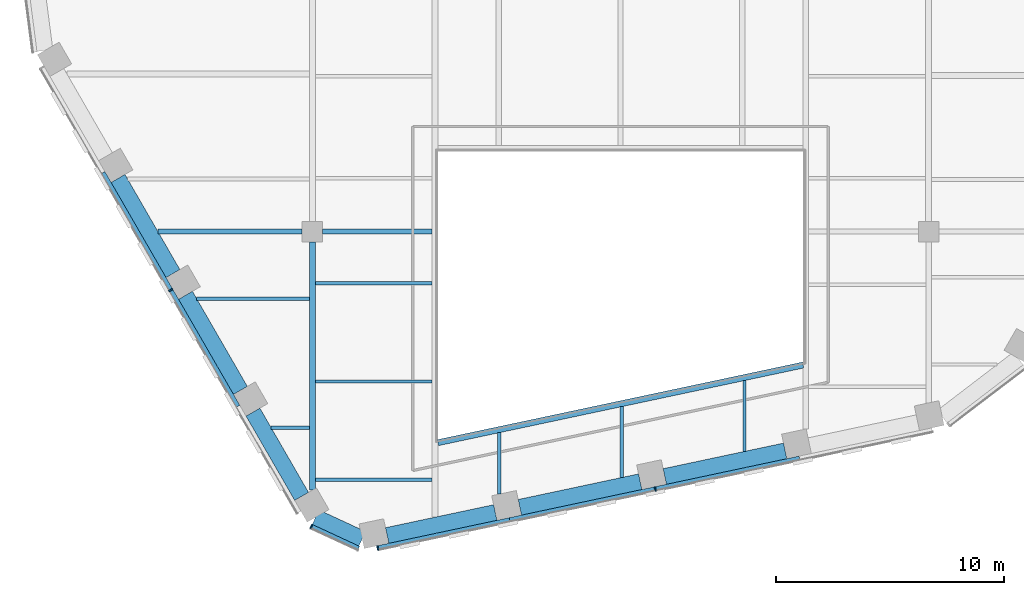
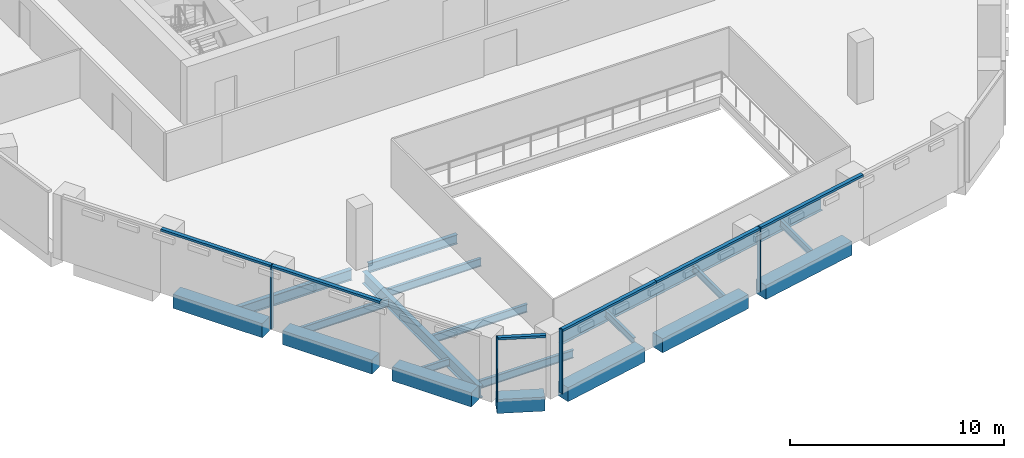
# One storey, part 2 of 16: 19 beams, 10 members, 3 elements without a shape of their own.
"""IFC4 building model written with IfcOpenShell, lengths in metres."""

from ifc_helpers import new_model, si_unit, direction, frame, origin, origin_2d, place, context, subcontext, project, spatial, rectangle, i_section, extrude, material, layer, layer_set, material_profile, profile_set, type_object, element, aggregate, save


model = new_model("IFC4")

# Units and contexts
model_context = context("Model", 3, precision=1e-05, world=origin(), true_north=direction((0.0, 1.0)))
body_context = subcontext(model_context, "Body", "Model", "MODEL_VIEW")
ifc_project = project(units=[si_unit("LENGTHUNIT", "METRE"), si_unit("AREAUNIT", "SQUARE_METRE"), si_unit("VOLUMEUNIT", "CUBIC_METRE"), si_unit("PLANEANGLEUNIT", "RADIAN"), si_unit("MASSUNIT", "GRAM", prefix="KILO")], contexts=[model_context])

# Site, building, storey
site_placement = place(None, origin())
site = spatial("IfcSite", under=ifc_project, at=site_placement, CompositionType="ELEMENT")
building_placement = place(site_placement, origin())
building = spatial("IfcBuilding", under=site, at=building_placement, Name="Isthmus Gate Tower", CompositionType="ELEMENT")
storey_placement = place(building_placement, frame((0.0, 0.0, 216.300048828125)))
storey = spatial("IfcBuildingStorey", under=building, at=storey_placement, Name="L54", CompositionType="ELEMENT", Elevation=216.300048828125)

# Curtain wall, member
ifc_material_1 = material(Name="Aluminium, pale champagne anodised", Category="aluminium")
ifc_layer = layer(ifc_material_1, 0.199951171875)
ifc_layer_set = layer_set([ifc_layer], Name="CW-1 UNITISED CURTAIN WALL 200 DEEP")
curtain_wall_type = type_object("IfcCurtainWallType", Name="CW-1 UNITISED CURTAIN WALL 200 DEEP", PredefinedType="NOTDEFINED", material=ifc_layer_set)
curtain_wall_1_placement = place(storey_placement, origin())
curtain_wall_1 = element("IfcCurtainWall", 1, at=curtain_wall_1_placement, inside=storey, type_object=curtain_wall_type, Name="CW-1 SW L54", PredefinedType="NOTDEFINED")
ifc_material_2 = material(Name="Aluminium, pale champagne anodised", Category="aluminium")
ifc_material_profile_1 = material_profile(ifc_material_2, rectangle(XDim=0.06005859375, YDim=0.199951171875, at=origin_2d()), Name="60x200")
ifc_profile_set_1 = profile_set([ifc_material_profile_1], Name="Aluminium, pale champagne anodised")
member_type_1 = type_object("IfcMemberType", Name="CW-1 MULLION 60 X 200", PredefinedType="MULLION", material=ifc_profile_set_1)
member_1_placement = place(storey_placement, frame((-19.707275390625, -16.066162109375, 0.0), z_axis=(0.0, 0.0, 1.0), x_axis=(0.5, -0.866025403784, 0.0)))
member_1 = element("IfcMember", 2, at=member_1_placement, type_object=member_type_1, Name="CW-1 mullion", PredefinedType="MULLION", context=body_context, shape_type="SweptSolid", body=[
    extrude(rectangle(XDim=0.06005859375, YDim=0.199951171875, at=origin_2d()), origin(), (0.0, 0.0, 1.0), 3.64990234375),
])

curtain_wall_2_placement = place(storey_placement, origin())
curtain_wall_2 = element("IfcCurtainWall", 3, at=curtain_wall_2_placement, inside=storey, type_object=curtain_wall_type, Name="CW-1 SW-S L54", PredefinedType="NOTDEFINED")
member_2_placement = place(storey_placement, frame((-13.54833984375, -26.419677734375, 0.0), z_axis=(0.0, 0.0, 1.0), x_axis=(0.907256261367, -0.420578264073, 0.0)))
member_2 = element("IfcMember", 4, at=member_2_placement, type_object=member_type_1, Name="CW-1 mullion", PredefinedType="MULLION", context=body_context, shape_type="SweptSolid", body=[
    extrude(rectangle(XDim=0.06005859375, YDim=0.199951171875, at=origin_2d()), origin(), (0.0, 0.0, 1.0), 3.64990234375),
])

# Curtain wall, members
curtain_wall_3_placement = place(storey_placement, origin())
curtain_wall_3 = element("IfcCurtainWall", 5, at=curtain_wall_3_placement, inside=storey, type_object=curtain_wall_type, Name="CW-1 S L54", PredefinedType="NOTDEFINED")
member_3_placement = place(storey_placement, frame((-10.6376953125, -27.36328125, 0.0), z_axis=(0.0, 0.0, 1.0), x_axis=(0.978147600734, 0.207911690818, 0.0)))
member_3 = element("IfcMember", 6, at=member_3_placement, type_object=member_type_1, Name="CW-1 mullion", PredefinedType="MULLION", context=body_context, shape_type="SweptSolid", body=[
    extrude(rectangle(XDim=0.06005859375, YDim=0.199951171875, at=origin_2d()), origin(), (0.0, 0.0, 1.0), 3.64990234375),
])
member_4_placement = place(storey_placement, frame((1.5244140625, -24.7783203125, 0.0), z_axis=(0.0, 0.0, 1.0), x_axis=(0.978147600734, 0.207911690818, 0.0)))
member_4 = element("IfcMember", 7, at=member_4_placement, type_object=member_type_1, Name="CW-1 mullion", PredefinedType="MULLION", context=body_context, shape_type="SweptSolid", body=[
    extrude(rectangle(XDim=0.06005859375, YDim=0.199951171875, at=origin_2d()), origin(), (0.0, 0.0, 1.0), 3.64990234375),
])

# Member
ifc_material_3 = material(Name="Aluminium, pale champagne anodised", Category="aluminium")
ifc_material_profile_2 = material_profile(ifc_material_3, rectangle(XDim=0.199951171875, YDim=0.1298828125, at=origin_2d()), Name="200x130")
ifc_profile_set_2 = profile_set([ifc_material_profile_2], Name="Aluminium, pale champagne anodised")
member_type_2 = type_object("IfcMemberType", Name="CW-1 TRANSOM 200 X 130", PredefinedType="USERDEFINED", material=ifc_profile_set_2)
member_5_placement = place(storey_placement, frame((-22.677490234375, -10.92138671875, 3.5849609375), z_axis=(0.500008496284, -0.866020498397, 0.0), x_axis=(0.866020498397, 0.500008496284, 0.0)))
member_5 = element("IfcMember", 8, at=member_5_placement, type_object=member_type_2, Name="CW-1 transom", ObjectType="TRANSOM", PredefinedType="USERDEFINED", context=body_context, shape_type="SweptSolid", body=[
    extrude(rectangle(XDim=0.199951171875, YDim=0.1298828125, at=origin_2d()), origin(), (0.0, 0.0, 1.0), 5.91064453125),
])

member_6_placement = place(storey_placement, frame((-19.692138671875, -16.092041015625, 3.5849609375), z_axis=(0.49998975084, -0.866031321059, 0.0), x_axis=(0.866031321059, 0.49998975084, 0.0)))
member_6 = element("IfcMember", 9, at=member_6_placement, type_object=member_type_2, Name="CW-1 transom", ObjectType="TRANSOM", PredefinedType="USERDEFINED", context=body_context, shape_type="SweptSolid", body=[
    extrude(rectangle(XDim=0.199951171875, YDim=0.1298828125, at=origin_2d()), origin(), (0.0, 0.0, 1.0), 5.8505859375),
])

aggregate(curtain_wall_1, [member_5, member_1, member_6])

member_7_placement = place(storey_placement, frame((-13.521240234375, -26.432373046875, 3.5849609375), z_axis=(0.907246225564, -0.420599912268, 0.0), x_axis=(0.420599912268, 0.907246225564, 0.0)))
member_7 = element("IfcMember", 10, at=member_7_placement, type_object=member_type_2, Name="CW-1 transom", ObjectType="TRANSOM", PredefinedType="USERDEFINED", context=body_context, shape_type="SweptSolid", body=[
    extrude(rectangle(XDim=0.199951171875, YDim=0.1298828125, at=origin_2d()), origin(), (0.0, 0.0, 1.0), 2.258544921875),
])

aggregate(curtain_wall_2, [member_2, member_7])

member_8_placement = place(storey_placement, frame((-10.6083984375, -27.357177734375, 3.5849609375), z_axis=(0.978148511799, 0.207907404549, 0.0), x_axis=(-0.207907404549, 0.978148511799, 0.0)))
member_8 = element("IfcMember", 11, at=member_8_placement, type_object=member_type_2, Name="CW-1 transom", ObjectType="TRANSOM", PredefinedType="USERDEFINED", context=body_context, shape_type="SweptSolid", body=[
    extrude(rectangle(XDim=0.199951171875, YDim=0.1298828125, at=origin_2d()), origin(), (0.0, 0.0, 1.0), 5.8818359375),
])

member_9_placement = place(storey_placement, frame((-4.85498046875, -26.13427734375, 3.5849609375), z_axis=(0.978142886198, 0.207933869729, 0.0), x_axis=(-0.207933869729, 0.978142886198, 0.0)))
member_9 = element("IfcMember", 12, at=member_9_placement, type_object=member_type_2, Name="CW-1 transom", ObjectType="TRANSOM", PredefinedType="USERDEFINED", context=body_context, shape_type="SweptSolid", body=[
    extrude(rectangle(XDim=0.199951171875, YDim=0.1298828125, at=origin_2d()), origin(), (0.0, 0.0, 1.0), 6.49169921875),
])

member_10_placement = place(storey_placement, frame((1.5537109375, -24.77197265625, 3.5849609375), z_axis=(0.978150457162, 0.207898251926, 0.0), x_axis=(-0.207898251926, 0.978150457162, 0.0)))
member_10 = element("IfcMember", 13, at=member_10_placement, type_object=member_type_2, Name="CW-1 transom", ObjectType="TRANSOM", PredefinedType="USERDEFINED", context=body_context, shape_type="SweptSolid", body=[
    extrude(rectangle(XDim=0.199951171875, YDim=0.1298828125, at=origin_2d()), origin(), (0.0, 0.0, 1.0), 6.431884765625),
])

aggregate(curtain_wall_3, [member_3, member_8, member_9, member_4, member_10])

# Beams
ifc_material_4 = material(Name="Concrete f'c 50 MPa", Category="concrete")
ifc_material_profile_3 = material_profile(ifc_material_4, rectangle(XDim=0.699951171875, YDim=0.800048828125, at=origin_2d()), Name="RC 700X800")
ifc_profile_set_3 = profile_set([ifc_material_profile_3], Name="Concrete f'c 50 MPa")
beam_type_1 = type_object("IfcBeamType", Name="RC SPANDREL 700 X 800", PredefinedType="SPANDREL", material=ifc_profile_set_3)
for number, where, z_axis, x_axis, name in (
    (14, (7.21337890625, -23.10888671875, -0.400146484375), (-0.978144348563, -0.207926990492, 0.0), (0.207926990492, -0.978144348563, 0.0), "str-spandrel-L54-12"),
    (15, (0.863525390625, -24.458740234375, -0.400146484375), (-0.978155513612, -0.207874460167, 0.0), (0.207874460167, -0.978155513612, 0.0), "str-spandrel-L54-13"),
):
    element("IfcBeam", number, at=place(storey_placement, frame(where, z_axis=z_axis, x_axis=x_axis)), inside=storey, type_object=beam_type_1, Name=name, PredefinedType="SPANDREL", context=body_context, shape_type="SweptSolid", body=[
        extrude(rectangle(XDim=0.699951171875, YDim=0.800048828125, at=origin_2d()), origin(), (0.0, 0.0, 1.0), 5.391845703125),
    ])
beam_1_placement = place(storey_placement, frame((-5.486572265625, -25.808349609375, -0.400146484375), z_axis=(-0.978141291228, -0.207941372495, 0.0), x_axis=(0.207941372495, -0.978141291228, 0.0)))
element("IfcBeam", 16, at=beam_1_placement, inside=storey, type_object=beam_type_1, Name="str-spandrel-L54-14", PredefinedType="SPANDREL", context=body_context, shape_type="SweptSolid", body=[
    extrude(rectangle(XDim=0.699951171875, YDim=0.800048828125, at=origin_2d()), origin(), (0.0, 0.0, 1.0), 4.842041015625),
])
beam_2_placement = place(storey_placement, frame((-11.31689453125, -26.958251953125, -0.400146484375), z_axis=(-0.907254968276, 0.42058105347, 0.0), x_axis=(-0.42058105347, -0.907254968276, 0.0)))
element("IfcBeam", 17, at=beam_2_placement, inside=storey, type_object=beam_type_1, Name="str-spandrel-L54-15", PredefinedType="SPANDREL", context=body_context, shape_type="SweptSolid", body=[
    extrude(rectangle(XDim=0.699951171875, YDim=0.800048828125, at=origin_2d()), origin(), (0.0, 0.0, 1.0), 2.245849609375),
])
beam_3_placement = place(storey_placement, frame((-13.971923828125, -25.10009765625, -0.400146484375), z_axis=(-0.499996907167, 0.866027189425, 0.0), x_axis=(-0.866027189425, -0.499996907167, 0.0)))
element("IfcBeam", 18, at=beam_3_placement, inside=storey, type_object=beam_type_1, Name="str-spandrel-L54-16", PredefinedType="SPANDREL", context=body_context, shape_type="SweptSolid", body=[
    extrude(rectangle(XDim=0.699951171875, YDim=0.800048828125, at=origin_2d()), origin(), (0.0, 0.0, 1.0), 4.2607421875),
])
for number, where, z_axis, x_axis, name in (
    (19, (-16.652099609375, -20.45751953125, -0.400146484375), (-0.500003616288, 0.866023315909, 0.0), (-0.866023315909, -0.500003616288, 0.0), "str-spandrel-L54-17"),
    (20, (-19.607421875, -15.3388671875, -0.400146484375), (-0.500003616288, 0.866023315909, 0.0), (-0.866023315909, -0.500003616288, 0.0), "str-spandrel-L54-18"),
):
    element("IfcBeam", number, at=place(storey_placement, frame(where, z_axis=z_axis, x_axis=x_axis)), inside=storey, type_object=beam_type_1, Name=name, PredefinedType="SPANDREL", context=body_context, shape_type="SweptSolid", body=[
        extrude(rectangle(XDim=0.699951171875, YDim=0.800048828125, at=origin_2d()), origin(), (0.0, 0.0, 1.0), 4.810546875),
    ])
ifc_material_5 = material(Name="Structural steel ASTM A992 Gr 50", Category="steel")
ifc_material_profile_4 = material_profile(ifc_material_5, i_section(OverallWidth=0.1396484375, OverallDepth=0.4033203125, WebThickness=0.00634765625, FlangeThickness=0.010986328125, at=origin_2d()), Name="W16X31")
ifc_profile_set_4 = profile_set([ifc_material_profile_4], Name="Structural steel ASTM A992 Gr 50")
beam_type_2 = type_object("IfcBeamType", Name="STEEL FLOOR BEAM W16X31", PredefinedType="JOIST", material=ifc_profile_set_4)
beam_4_placement = place(storey_placement, frame((-15.30126953125, -22.097412109375, -0.3515625), z_axis=(1.0, 0.0, 0.0), x_axis=(0.0, 1.0, 0.0)))
element("IfcBeam", 21, at=beam_4_placement, inside=storey, type_object=beam_type_2, Name="str-beam-L54-02-00", PredefinedType="JOIST", context=body_context, shape_type="SweptSolid", body=[
    extrude(i_section(OverallWidth=0.1396484375, OverallDepth=0.4033203125, WebThickness=0.00634765625, FlangeThickness=0.010986328125, at=origin_2d()), origin(), (0.0, 0.0, 1.0), 1.67431640625),
])
beam_5_placement = place(storey_placement, frame((-5.314208984375, -25.005126953125, -0.3515625), z_axis=(0.0, 1.0, 0.0), x_axis=(-1.0, 0.0, 0.0)))
element("IfcBeam", 22, at=beam_5_placement, inside=storey, type_object=beam_type_2, Name="str-beam-L54-06-00", PredefinedType="JOIST", context=body_context, shape_type="SweptSolid", body=[
    extrude(i_section(OverallWidth=0.1396484375, OverallDepth=0.4033203125, WebThickness=0.00634765625, FlangeThickness=0.010986328125, at=origin_2d()), origin(), (0.0, 0.0, 1.0), 2.692138671875),
])
for number, where, z_axis, x_axis, name in (
    (23, (0.05712890625, -24.272216796875, -0.3515625), (0.0, 1.0, 0.0), (-1.0, 0.0, 0.0), "str-beam-L54-06-01"),
    (24, (5.428466796875, -23.13037109375, -0.3515625), (0.0, 1.0, 0.0), (-1.0, 0.0, 0.0), "str-beam-L54-06-02"),
):
    element("IfcBeam", number, at=place(storey_placement, frame(where, z_axis=z_axis, x_axis=x_axis)), inside=storey, type_object=beam_type_2, Name=name, PredefinedType="JOIST", context=body_context, shape_type="SweptSolid", body=[
        extrude(i_section(OverallWidth=0.1396484375, OverallDepth=0.4033203125, WebThickness=0.00634765625, FlangeThickness=0.010986328125, at=origin_2d()), origin(), (0.0, 0.0, 1.0), 3.10107421875),
    ])
ifc_material_6 = material(Name="Structural steel ASTM A992 Gr 50", Category="steel")
ifc_material_profile_5 = material_profile(ifc_material_6, i_section(OverallWidth=0.15234375, OverallDepth=0.45068359375, WebThickness=0.0078125, FlangeThickness=0.010986328125, at=origin_2d()), Name="W18X35")
ifc_profile_set_5 = profile_set([ifc_material_profile_5], Name="Structural steel ASTM A992 Gr 50")
beam_type_3 = type_object("IfcBeamType", Name="STEEL FLOOR BEAM W18X35", PredefinedType="JOIST", material=ifc_profile_set_5)
beam_6_placement = place(storey_placement, frame((-18.56640625, -16.44189453125, -0.37548828125), z_axis=(1.0, 0.0, 0.0), x_axis=(0.0, 1.0, 0.0)))
element("IfcBeam", 25, at=beam_6_placement, inside=storey, type_object=beam_type_3, Name="str-beam-L54-02-01", PredefinedType="JOIST", context=body_context, shape_type="SweptSolid", body=[
    extrude(i_section(OverallWidth=0.15234375, OverallDepth=0.45068359375, WebThickness=0.0078125, FlangeThickness=0.010986328125, at=origin_2d()), origin(), (0.0, 0.0, 1.0), 4.939453125),
])
for number, where, z_axis, x_axis, name in (
    (26, (-13.373046875, -24.3759765625, -0.37548828125), (1.0, 0.0, 0.0), (0.0, 1.0, 0.0), "str-beam-L54-04-00"),
    (27, (-13.373046875, -20.0673828125, -0.37548828125), (1.0, 0.0, 0.0), (0.0, 1.0, 0.0), "str-beam-L54-04-01"),
    (28, (-13.373046875, -15.759033203125, -0.37548828125), (1.0, 0.0, 0.0), (0.0, 1.0, 0.0), "str-beam-L54-04-02"),
):
    element("IfcBeam", number, at=place(storey_placement, frame(where, z_axis=z_axis, x_axis=x_axis)), inside=storey, type_object=beam_type_3, Name=name, PredefinedType="JOIST", context=body_context, shape_type="SweptSolid", body=[
        extrude(i_section(OverallWidth=0.15234375, OverallDepth=0.45068359375, WebThickness=0.0078125, FlangeThickness=0.010986328125, at=origin_2d()), origin(), (0.0, 0.0, 1.0), 5.109619140625),
    ])
ifc_material_7 = material(Name="Structural steel ASTM A992 Gr 50", Category="steel")
ifc_material_profile_6 = material_profile(ifc_material_7, i_section(OverallWidth=0.20947265625, OverallDepth=0.533447265625, WebThickness=0.009521484375, FlangeThickness=0.015869140625, at=origin_2d()), Name="W21X62")
ifc_profile_set_6 = profile_set([ifc_material_profile_6], Name="Structural steel ASTM A992 Gr 50")
beam_type_4 = type_object("IfcBeamType", Name="STEEL GIRDER W21X62", PredefinedType="BEAM", material=ifc_profile_set_6)
beam_7_placement = place(storey_placement, frame((-13.050048828125, -13.5, -0.416748046875), z_axis=(1.0, 0.0, 0.0), x_axis=(0.0, 1.0, 0.0)))
element("IfcBeam", 29, at=beam_7_placement, inside=storey, type_object=beam_type_4, Name="str-girder-L54-02", PredefinedType="BEAM", context=body_context, shape_type="SweptSolid", body=[
    extrude(i_section(OverallWidth=0.20947265625, OverallDepth=0.533447265625, WebThickness=0.009521484375, FlangeThickness=0.015869140625, at=origin_2d()), origin(), (0.0, 0.0, 1.0), 4.78662109375),
])
ifc_material_8 = material(Name="Structural steel ASTM A992 Gr 50", Category="steel")
ifc_material_profile_7 = material_profile(ifc_material_8, i_section(OverallWidth=0.228515625, OverallDepth=0.603271484375, WebThickness=0.010986328125, FlangeThickness=0.014404296875, at=origin_2d()), Name="W24X68")
ifc_profile_set_7 = profile_set([ifc_material_profile_7], Name="Structural steel ASTM A992 Gr 50")
beam_type_5 = type_object("IfcBeamType", Name="STEEL GIRDER W24X68", PredefinedType="BEAM", material=ifc_profile_set_7)
beam_8_placement = place(storey_placement, frame((-20.264892578125, -13.5, -0.45166015625), z_axis=(1.0, 0.0, 0.0), x_axis=(0.0, 1.0, 0.0)))
element("IfcBeam", 30, at=beam_8_placement, inside=storey, type_object=beam_type_5, Name="str-girder-L54-01", PredefinedType="BEAM", context=body_context, shape_type="SweptSolid", body=[
    extrude(i_section(OverallWidth=0.228515625, OverallDepth=0.603271484375, WebThickness=0.010986328125, FlangeThickness=0.014404296875, at=origin_2d()), origin(), (0.0, 0.0, 1.0), 6.31494140625),
])
ifc_material_9 = material(Name="Structural steel ASTM A992 Gr 50", Category="steel")
ifc_material_profile_8 = material_profile(ifc_material_9, i_section(OverallWidth=0.25390625, OverallDepth=0.679443359375, WebThickness=0.010986328125, FlangeThickness=0.015869140625, at=origin_2d()), Name="W27X84")
ifc_profile_set_8 = profile_set([ifc_material_profile_8], Name="Structural steel ASTM A992 Gr 50")
beam_type_6 = type_object("IfcBeamType", Name="STEEL GIRDER W27X84", PredefinedType="BEAM", material=ifc_profile_set_8)
beam_9_placement = place(storey_placement, frame((-13.5, -24.82763671875, -0.48974609375), z_axis=(0.0, 1.0, 0.0), x_axis=(-1.0, 0.0, 0.0)))
element("IfcBeam", 31, at=beam_9_placement, inside=storey, type_object=beam_type_6, Name="str-girder-L54-05", PredefinedType="BEAM", context=body_context, shape_type="SweptSolid", body=[
    extrude(i_section(OverallWidth=0.25390625, OverallDepth=0.679443359375, WebThickness=0.010986328125, FlangeThickness=0.015869140625, at=origin_2d()), origin(), (0.0, 0.0, 1.0), 10.877685546875),
])
ifc_material_10 = material(Name="Structural steel ASTM A992 Gr 50", Category="steel")
ifc_material_profile_9 = material_profile(ifc_material_10, i_section(OverallWidth=0.2666015625, OverallDepth=0.7587890625, WebThickness=0.014404296875, FlangeThickness=0.01904296875, at=origin_2d()), Name="W30X108")
ifc_profile_set_9 = profile_set([ifc_material_profile_9], Name="Structural steel ASTM A992 Gr 50")
beam_type_7 = type_object("IfcBeamType", Name="STEEL TRIMMER W30X108", PredefinedType="BEAM", material=ifc_profile_set_9)
beam_10_placement = place(storey_placement, frame((-8.0, -22.747314453125, -0.529541015625), z_axis=(0.978147924985, 0.20791016533, 0.0), x_axis=(-0.20791016533, 0.978147924985, 0.0)))
element("IfcBeam", 32, at=beam_10_placement, inside=storey, type_object=beam_type_7, Name="str-trimmer-L54-03", PredefinedType="BEAM", context=body_context, shape_type="SweptSolid", body=[
    extrude(i_section(OverallWidth=0.2666015625, OverallDepth=0.7587890625, WebThickness=0.014404296875, FlangeThickness=0.01904296875, at=origin_2d()), origin(), (0.0, 0.0, 1.0), 16.357421875),
])

save(model, "model.ifc")
